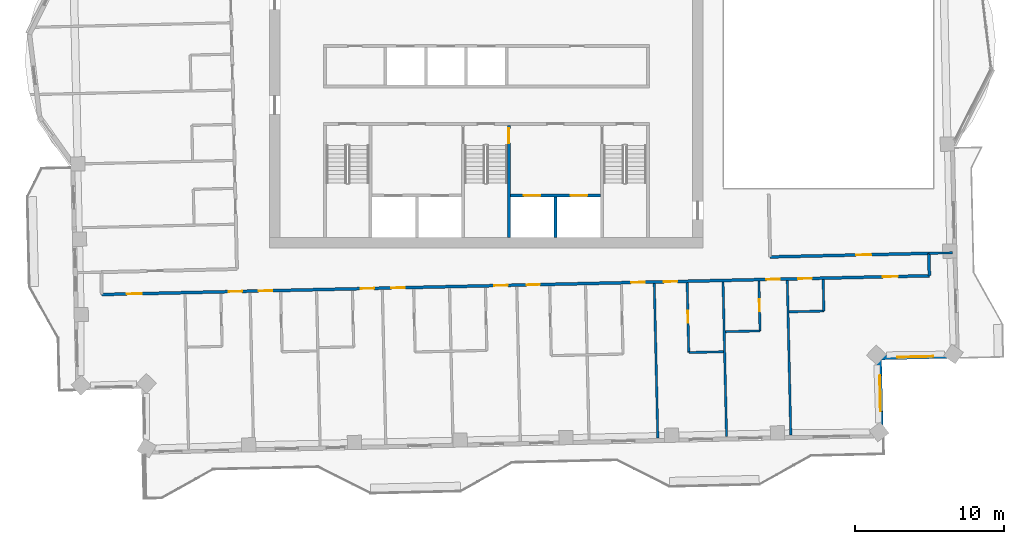
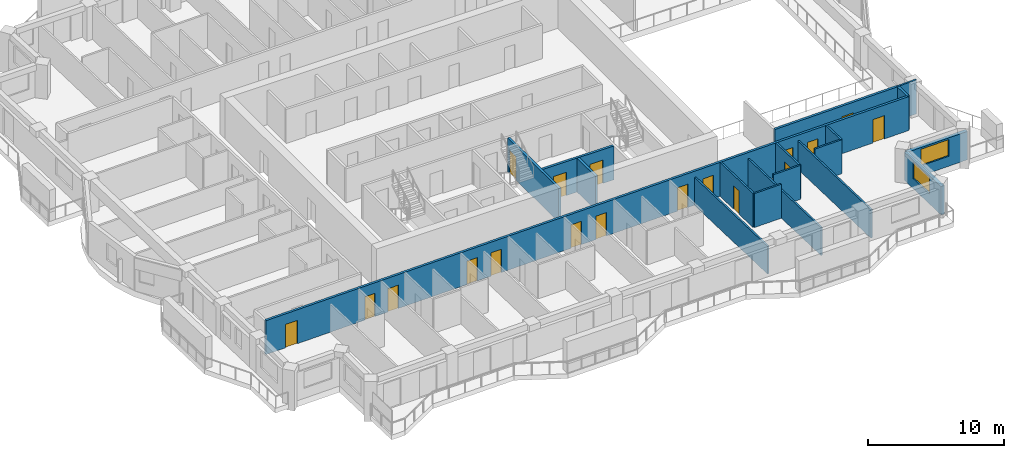
# One storey, part 11 of 20: 18 doors, 18 walls, 2 windows, 20 openings.
"""IFC4 building model written with IfcOpenShell, lengths in metres."""

from ifc_helpers import new_model, si_unit, direction, frame, frame_2d, origin, place, context, subcontext, project, spatial, rectangle, extrude, material, layer, layer_set, type_object, element, fill, save


model = new_model("IFC4")

# Units and contexts
model_context = context("Model", 3, precision=1e-05, world=origin(), true_north=direction((0.0, 1.0)))
body_context = subcontext(model_context, "Body", "Model", "MODEL_VIEW")
ifc_project = project(units=[si_unit("LENGTHUNIT", "METRE"), si_unit("AREAUNIT", "SQUARE_METRE"), si_unit("VOLUMEUNIT", "CUBIC_METRE"), si_unit("PLANEANGLEUNIT", "RADIAN"), si_unit("MASSUNIT", "GRAM", prefix="KILO")], contexts=[model_context])

# Site, building, storey
site_placement = place(None, origin())
site = spatial("IfcSite", under=ifc_project, at=site_placement, CompositionType="ELEMENT")
building_placement = place(site_placement, origin())
building = spatial("IfcBuilding", under=site, at=building_placement, Name="Mangrove Gate Tower", CompositionType="ELEMENT")
storey_placement = place(building_placement, frame((0.0, 0.0, 294.300048828125)))
storey = spatial("IfcBuildingStorey", under=building, at=storey_placement, Name="L75", CompositionType="ELEMENT", Elevation=294.300048828125)

# Wall, openings, doors
ifc_material_1 = material(Name="Concrete C50/60", Category="concrete")
ifc_layer_1 = layer(ifc_material_1, 0.199951171875)
ifc_layer_set_1 = layer_set([ifc_layer_1], Name="Core shaft wall 200 C50/60")
wall_type_1 = type_object("IfcWallType", Name="Core shaft wall 200 C50/60", PredefinedType="SHEAR", material=ifc_layer_set_1)
wall_1_placement = place(storey_placement, frame((1.60009765625, -8.0, 0.0), z_axis=(0.0, 0.0, 1.0), x_axis=(1.0, 0.0, 0.0)))
wall_1 = element("IfcWall", 1, at=wall_1_placement, inside=storey, type_object=wall_type_1, Name="WALL-L75-CORE-17", PredefinedType="SHEAR", context=body_context, shape_type="SweptSolid", body=[
    extrude(rectangle(XDim=6.0498046875, YDim=0.199951171875, at=frame_2d((3.02490234375, 0.0))), origin(), (0.0, 0.0, 1.0), 3.050048828125),
])
opening_1_placement = place(wall_1_placement, frame((0.91259765625, 0.0, 0.0)))
opening_1 = element("IfcOpeningElement", 2, at=opening_1_placement, cuts=wall_1, Name="Opening LD", PredefinedType="OPENING", context=body_context, shape_type="SweptSolid", body=[
    extrude(rectangle(XDim=1.10009765625, YDim=2.10009765625, at=frame_2d((0.550048828125, 1.050048828125))), frame((0.0, 0.10986328125, 0.0), z_axis=(0.0, -1.0, 0.0), x_axis=(1.0, 0.0, 0.0)), (0.0, 0.0, 1.0), 0.219970703125),
])
opening_2_placement = place(wall_1_placement, frame((4.03759765625, 0.0, 0.0)))
opening_2 = element("IfcOpeningElement", 3, at=opening_2_placement, cuts=wall_1, Name="Opening LD", PredefinedType="OPENING", context=body_context, shape_type="SweptSolid", body=[
    extrude(rectangle(XDim=1.10009765625, YDim=2.10009765625, at=frame_2d((0.550048828125, 1.050048828125))), frame((0.0, 0.10986328125, 0.0), z_axis=(0.0, -1.0, 0.0), x_axis=(1.0, 0.0, 0.0)), (0.0, 0.0, 1.0), 0.219970703125),
])
ifc_material_2 = material(Name="Stainless steel 316", Category="steel")
door_type_1 = type_object("IfcDoorType", Name="Lift landing door 1100x2100", OperationType="SLIDING_TO_LEFT", PredefinedType="DOOR", material=ifc_material_2)
door_1_placement = place(opening_1_placement, origin())
door_1 = element("IfcDoor", 4, at=door_1_placement, inside=storey, type_object=door_type_1, Name="Landing door LD FFL1", OperationType="SLIDING_TO_LEFT", OverallHeight=2.10009765625, OverallWidth=1.10009765625, PredefinedType="DOOR", context=body_context, shape_type="SweptSolid", body=[
    extrude(rectangle(XDim=1.10009765625, YDim=2.10009765625, at=frame_2d((0.550048828125, 1.050048828125))), frame((0.0, 0.02490234375, 0.0), z_axis=(0.0, -1.0, 0.0), x_axis=(1.0, 0.0, 0.0)), (0.0, 0.0, 1.0), 0.050048828125),
])
fill(opening_1, door_1)
door_2_placement = place(opening_2_placement, origin())
door_2 = element("IfcDoor", 5, at=door_2_placement, inside=storey, type_object=door_type_1, Name="Landing door LD FFL2", OperationType="SLIDING_TO_LEFT", OverallHeight=2.10009765625, OverallWidth=1.10009765625, PredefinedType="DOOR", context=body_context, shape_type="SweptSolid", body=[
    extrude(rectangle(XDim=1.10009765625, YDim=2.10009765625, at=frame_2d((0.550048828125, 1.050048828125))), frame((0.0, 0.02490234375, 0.0), z_axis=(0.0, -1.0, 0.0), x_axis=(1.0, 0.0, 0.0)), (0.0, 0.0, 1.0), 0.050048828125),
])
fill(opening_2, door_2)

# Wall
wall_2_placement = place(storey_placement, frame((4.625, -10.800048828125, 0.0), z_axis=(0.0, 0.0, 1.0), x_axis=(0.0, 1.0, 0.0)))
element("IfcWall", 6, at=wall_2_placement, inside=storey, type_object=wall_type_1, Name="WALL-L75-CORE-18", PredefinedType="SHEAR", context=body_context, shape_type="SweptSolid", body=[
    extrude(rectangle(XDim=2.699951171875, YDim=0.199951171875, at=frame_2d((1.35009765625, 0.0))), origin(), (0.0, 0.0, 1.0), 3.050048828125),
])

# Wall, opening, door
ifc_material_3 = material(Name="Concrete C50/60", Category="concrete")
ifc_layer_2 = layer(ifc_material_3, 0.199951171875)
ifc_layer_set_2 = layer_set([ifc_layer_2], Name="Core stair wall 200 C50/60")
wall_type_2 = type_object("IfcWallType", Name="Core stair wall 200 C50/60", PredefinedType="SHEAR", material=ifc_layer_set_2)
wall_3_placement = place(storey_placement, frame((1.5, -10.800048828125, 0.0), z_axis=(0.0, 0.0, 1.0), x_axis=(0.0, 1.0, 0.0)))
wall_3 = element("IfcWall", 7, at=wall_3_placement, inside=storey, type_object=wall_type_2, Name="WALL-L75-CORE-12", PredefinedType="SHEAR", context=body_context, shape_type="SweptSolid", body=[
    extrude(rectangle(XDim=7.5, YDim=0.199951171875, at=frame_2d((3.75, 0.0))), origin(), (0.0, 0.0, 1.0), 3.050048828125),
])
opening_3_placement = place(wall_3_placement, frame((6.300048828125, 0.0, 0.0)))
opening_3 = element("IfcOpeningElement", 8, at=opening_3_placement, cuts=wall_3, Name="Opening STD10", PredefinedType="OPENING", context=body_context, shape_type="SweptSolid", body=[
    extrude(rectangle(XDim=1.0, YDim=2.10009765625, at=frame_2d((0.5, 1.050048828125))), frame((0.0, 0.10986328125, 0.0), z_axis=(0.0, -1.0, 0.0), x_axis=(1.0, 0.0, 0.0)), (0.0, 0.0, 1.0), 0.219970703125),
])
ifc_material_4 = material(Name="Fire-rated steel door set", Category="steel")
door_type_2 = type_object("IfcDoorType", Name="Stair door FD60 1000x2100", OperationType="SINGLE_SWING_RIGHT", PredefinedType="DOOR", material=ifc_material_4)
door_3_placement = place(opening_3_placement, origin())
door_3 = element("IfcDoor", 9, at=door_3_placement, inside=storey, type_object=door_type_2, Name="Stair door Stair 2 from fire-fighting lobby", OperationType="SINGLE_SWING_RIGHT", OverallHeight=2.10009765625, OverallWidth=1.0, PredefinedType="DOOR", context=body_context, shape_type="SweptSolid", body=[
    extrude(rectangle(XDim=1.0, YDim=2.10009765625, at=frame_2d((0.5, 1.050048828125))), frame((0.0, 0.02490234375, 0.0), z_axis=(0.0, -1.0, 0.0), x_axis=(1.0, 0.0, 0.0)), (0.0, 0.0, 1.0), 0.050048828125),
])
fill(opening_3, door_3)

# Wall, openings, doors
ifc_material_5 = material(Name="Gypsum board on steel stud, EI 60", Category="steel")
ifc_layer_3 = layer(ifc_material_5, 0.199951171875)
ifc_layer_set_3 = layer_set([ifc_layer_3], Name="Corridor wall EI 60")
wall_type_3 = type_object("IfcWallType", Name="Corridor wall EI 60", PredefinedType="PARTITIONING", material=ifc_layer_set_3)
wall_4_placement = place(storey_placement, frame((-25.73095703125, -14.6240234375, 0.0), z_axis=(0.0, 0.0, 1.0), x_axis=(0.999742799525, 0.022678950563, 0.0)))
wall_4 = element("IfcWall", 10, at=wall_4_placement, inside=storey, type_object=wall_type_3, Name="WALL-L75-029", PredefinedType="PARTITIONING", context=body_context, shape_type="SweptSolid", body=[
    extrude(rectangle(XDim=55.38623046875, YDim=0.199951171875, at=frame_2d((27.693115234375, 0.0))), origin(), (0.0, 0.0, 1.0), 3.050048828125),
])
opening_4_placement = place(wall_4_placement, frame((1.69091796875, 0.0, 0.0)))
opening_4 = element("IfcOpeningElement", 11, at=opening_4_placement, cuts=wall_4, Name="Opening AD", PredefinedType="OPENING", context=body_context, shape_type="SweptSolid", body=[
    extrude(rectangle(XDim=1.0, YDim=2.10009765625, at=frame_2d((0.5, 1.050048828125))), frame((0.0, 0.10986328125, 0.0), z_axis=(0.0, -1.0, 0.0), x_axis=(1.0, 0.0, 0.0)), (0.0, 0.0, 1.0), 0.219970703125),
])
opening_5_placement = place(wall_4_placement, frame((8.5, 0.0, 0.0)))
opening_5 = element("IfcOpeningElement", 12, at=opening_5_placement, cuts=wall_4, Name="Opening BD", PredefinedType="OPENING", context=body_context, shape_type="SweptSolid", body=[
    extrude(rectangle(XDim=0.89990234375, YDim=2.10009765625, at=frame_2d((0.449951171875, 1.050048828125))), frame((0.0, 0.10986328125, 0.0), z_axis=(0.0, -1.0, 0.0), x_axis=(1.0, 0.0, 0.0)), (0.0, 0.0, 1.0), 0.219970703125),
])
opening_6_placement = place(wall_4_placement, frame((10.5, 0.0, 0.0)))
opening_6 = element("IfcOpeningElement", 13, at=opening_6_placement, cuts=wall_4, Name="Opening BD", PredefinedType="OPENING", context=body_context, shape_type="SweptSolid", body=[
    extrude(rectangle(XDim=0.89990234375, YDim=2.10009765625, at=frame_2d((0.449951171875, 1.050048828125))), frame((0.0, 0.10986328125, 0.0), z_axis=(0.0, -1.0, 0.0), x_axis=(1.0, 0.0, 0.0)), (0.0, 0.0, 1.0), 0.219970703125),
])
opening_7_placement = place(wall_4_placement, frame((17.324951171875, 0.0, 0.0)))
opening_7 = element("IfcOpeningElement", 14, at=opening_7_placement, cuts=wall_4, Name="Opening BD", PredefinedType="OPENING", context=body_context, shape_type="SweptSolid", body=[
    extrude(rectangle(XDim=0.89990234375, YDim=2.10009765625, at=frame_2d((0.449951171875, 1.050048828125))), frame((0.0, 0.10986328125, 0.0), z_axis=(0.0, -1.0, 0.0), x_axis=(1.0, 0.0, 0.0)), (0.0, 0.0, 1.0), 0.219970703125),
])
opening_8_placement = place(wall_4_placement, frame((19.375, 0.0, 0.0)))
opening_8 = element("IfcOpeningElement", 15, at=opening_8_placement, cuts=wall_4, Name="Opening BD", PredefinedType="OPENING", context=body_context, shape_type="SweptSolid", body=[
    extrude(rectangle(XDim=0.89990234375, YDim=2.10009765625, at=frame_2d((0.449951171875, 1.050048828125))), frame((0.0, 0.10986328125, 0.0), z_axis=(0.0, -1.0, 0.0), x_axis=(1.0, 0.0, 0.0)), (0.0, 0.0, 1.0), 0.219970703125),
])
opening_9_placement = place(wall_4_placement, frame((26.27490234375, 0.0, 0.0)))
opening_9 = element("IfcOpeningElement", 16, at=opening_9_placement, cuts=wall_4, Name="Opening BD", PredefinedType="OPENING", context=body_context, shape_type="SweptSolid", body=[
    extrude(rectangle(XDim=0.89990234375, YDim=2.10009765625, at=frame_2d((0.449951171875, 1.050048828125))), frame((0.0, 0.10986328125, 0.0), z_axis=(0.0, -1.0, 0.0), x_axis=(1.0, 0.0, 0.0)), (0.0, 0.0, 1.0), 0.219970703125),
])
opening_10_placement = place(wall_4_placement, frame((28.425048828125, 0.0, 0.0)))
opening_10 = element("IfcOpeningElement", 17, at=opening_10_placement, cuts=wall_4, Name="Opening BD", PredefinedType="OPENING", context=body_context, shape_type="SweptSolid", body=[
    extrude(rectangle(XDim=0.89990234375, YDim=2.10009765625, at=frame_2d((0.449951171875, 1.050048828125))), frame((0.0, 0.10986328125, 0.0), z_axis=(0.0, -1.0, 0.0), x_axis=(1.0, 0.0, 0.0)), (0.0, 0.0, 1.0), 0.219970703125),
])
opening_11_placement = place(wall_4_placement, frame((35.425048828125, 0.0, 0.0)))
opening_11 = element("IfcOpeningElement", 18, at=opening_11_placement, cuts=wall_4, Name="Opening BD", PredefinedType="OPENING", context=body_context, shape_type="SweptSolid", body=[
    extrude(rectangle(XDim=0.89990234375, YDim=2.10009765625, at=frame_2d((0.449951171875, 1.050048828125))), frame((0.0, 0.10986328125, 0.0), z_axis=(0.0, -1.0, 0.0), x_axis=(1.0, 0.0, 0.0)), (0.0, 0.0, 1.0), 0.219970703125),
])
opening_12_placement = place(wall_4_placement, frame((37.625, 0.0, 0.0)))
opening_12 = element("IfcOpeningElement", 19, at=opening_12_placement, cuts=wall_4, Name="Opening BD", PredefinedType="OPENING", context=body_context, shape_type="SweptSolid", body=[
    extrude(rectangle(XDim=0.89990234375, YDim=2.10009765625, at=frame_2d((0.449951171875, 1.050048828125))), frame((0.0, 0.10986328125, 0.0), z_axis=(0.0, -1.0, 0.0), x_axis=(1.0, 0.0, 0.0)), (0.0, 0.0, 1.0), 0.219970703125),
])
opening_13_placement = place(wall_4_placement, frame((44.47509765625, 0.0, 0.0)))
opening_13 = element("IfcOpeningElement", 20, at=opening_13_placement, cuts=wall_4, Name="Opening BD", PredefinedType="OPENING", context=body_context, shape_type="SweptSolid", body=[
    extrude(rectangle(XDim=0.89990234375, YDim=2.10009765625, at=frame_2d((0.449951171875, 1.050048828125))), frame((0.0, 0.10986328125, 0.0), z_axis=(0.0, -1.0, 0.0), x_axis=(1.0, 0.0, 0.0)), (0.0, 0.0, 1.0), 0.219970703125),
])
opening_14_placement = place(wall_4_placement, frame((52.26806640625, 0.0, 0.0)))
opening_14 = element("IfcOpeningElement", 21, at=opening_14_placement, cuts=wall_4, Name="Opening AD", PredefinedType="OPENING", context=body_context, shape_type="SweptSolid", body=[
    extrude(rectangle(XDim=1.0, YDim=2.10009765625, at=frame_2d((0.5, 1.050048828125))), frame((0.0, 0.10986328125, 0.0), z_axis=(0.0, -1.0, 0.0), x_axis=(1.0, 0.0, 0.0)), (0.0, 0.0, 1.0), 0.219970703125),
])
opening_15_placement = place(wall_4_placement, frame((46.625, 0.0, 0.0)))
opening_15 = element("IfcOpeningElement", 22, at=opening_15_placement, cuts=wall_4, Name="Opening SD", PredefinedType="OPENING", context=body_context, shape_type="SweptSolid", body=[
    extrude(rectangle(XDim=0.89990234375, YDim=2.10009765625, at=frame_2d((0.449951171875, 1.050048828125))), frame((0.0, 0.10986328125, 0.0), z_axis=(0.0, -1.0, 0.0), x_axis=(1.0, 0.0, 0.0)), (0.0, 0.0, 1.0), 0.219970703125),
])
ifc_material_6 = material(Name="Timber door leaf", Category="wood")
door_type_3 = type_object("IfcDoorType", Name="Amenity door 1000", OperationType="SINGLE_SWING_LEFT", PredefinedType="DOOR", material=ifc_material_6)
door_4_placement = place(opening_4_placement, origin())
door_4 = element("IfcDoor", 23, at=door_4_placement, inside=storey, type_object=door_type_3, Name="DOOR-L75-STU-c1a", OperationType="SINGLE_SWING_LEFT", OverallHeight=2.10009765625, OverallWidth=1.0, PredefinedType="DOOR", context=body_context, shape_type="SweptSolid", body=[
    extrude(rectangle(XDim=1.0, YDim=2.10009765625, at=frame_2d((0.5, 1.050048828125))), frame((0.0, 0.02490234375, 0.0), z_axis=(0.0, -1.0, 0.0), x_axis=(1.0, 0.0, 0.0)), (0.0, 0.0, 1.0), 0.050048828125),
])
fill(opening_4, door_4)
door_5_placement = place(opening_14_placement, origin())
door_5 = element("IfcDoor", 24, at=door_5_placement, inside=storey, type_object=door_type_3, Name="DOOR-L75-LNG-c3a", OperationType="SINGLE_SWING_RIGHT", OverallHeight=2.10009765625, OverallWidth=1.0, PredefinedType="DOOR", context=body_context, shape_type="SweptSolid", body=[
    extrude(rectangle(XDim=1.0, YDim=2.10009765625, at=frame_2d((0.5, 1.050048828125))), frame((0.0, 0.02490234375, 0.0), z_axis=(0.0, -1.0, 0.0), x_axis=(1.0, 0.0, 0.0)), (0.0, 0.0, 1.0), 0.050048828125),
])
fill(opening_14, door_5)
ifc_material_7 = material(Name="Timber door leaf", Category="wood")
door_type_4 = type_object("IfcDoorType", Name="Bedroom door 900", OperationType="SINGLE_SWING_LEFT", PredefinedType="DOOR", material=ifc_material_7)
door_6_placement = place(opening_5_placement, origin())
door_6 = element("IfcDoor", 25, at=door_6_placement, inside=storey, type_object=door_type_4, Name="DOOR-L75-BED-c101", OperationType="SINGLE_SWING_LEFT", OverallHeight=2.10009765625, OverallWidth=0.89990234375, PredefinedType="DOOR", context=body_context, shape_type="SweptSolid", body=[
    extrude(rectangle(XDim=0.89990234375, YDim=2.10009765625, at=frame_2d((0.449951171875, 1.050048828125))), frame((0.0, 0.02490234375, 0.0), z_axis=(0.0, -1.0, 0.0), x_axis=(1.0, 0.0, 0.0)), (0.0, 0.0, 1.0), 0.050048828125),
])
fill(opening_5, door_6)
door_7_placement = place(opening_6_placement, origin())
door_7 = element("IfcDoor", 26, at=door_7_placement, inside=storey, type_object=door_type_4, Name="DOOR-L75-BED-c102", OperationType="SINGLE_SWING_RIGHT", OverallHeight=2.10009765625, OverallWidth=0.89990234375, PredefinedType="DOOR", context=body_context, shape_type="SweptSolid", body=[
    extrude(rectangle(XDim=0.89990234375, YDim=2.10009765625, at=frame_2d((0.449951171875, 1.050048828125))), frame((0.0, 0.02490234375, 0.0), z_axis=(0.0, -1.0, 0.0), x_axis=(1.0, 0.0, 0.0)), (0.0, 0.0, 1.0), 0.050048828125),
])
fill(opening_6, door_7)
door_8_placement = place(opening_7_placement, origin())
door_8 = element("IfcDoor", 27, at=door_8_placement, inside=storey, type_object=door_type_4, Name="DOOR-L75-BED-c103", OperationType="SINGLE_SWING_LEFT", OverallHeight=2.10009765625, OverallWidth=0.89990234375, PredefinedType="DOOR", context=body_context, shape_type="SweptSolid", body=[
    extrude(rectangle(XDim=0.89990234375, YDim=2.10009765625, at=frame_2d((0.449951171875, 1.050048828125))), frame((0.0, 0.02490234375, 0.0), z_axis=(0.0, -1.0, 0.0), x_axis=(1.0, 0.0, 0.0)), (0.0, 0.0, 1.0), 0.050048828125),
])
fill(opening_7, door_8)
door_9_placement = place(opening_8_placement, origin())
door_9 = element("IfcDoor", 28, at=door_9_placement, inside=storey, type_object=door_type_4, Name="DOOR-L75-BED-c104", OperationType="SINGLE_SWING_RIGHT", OverallHeight=2.10009765625, OverallWidth=0.89990234375, PredefinedType="DOOR", context=body_context, shape_type="SweptSolid", body=[
    extrude(rectangle(XDim=0.89990234375, YDim=2.10009765625, at=frame_2d((0.449951171875, 1.050048828125))), frame((0.0, 0.02490234375, 0.0), z_axis=(0.0, -1.0, 0.0), x_axis=(1.0, 0.0, 0.0)), (0.0, 0.0, 1.0), 0.050048828125),
])
fill(opening_8, door_9)
door_10_placement = place(opening_9_placement, origin())
door_10 = element("IfcDoor", 29, at=door_10_placement, inside=storey, type_object=door_type_4, Name="DOOR-L75-BED-c205", OperationType="SINGLE_SWING_LEFT", OverallHeight=2.10009765625, OverallWidth=0.89990234375, PredefinedType="DOOR", context=body_context, shape_type="SweptSolid", body=[
    extrude(rectangle(XDim=0.89990234375, YDim=2.10009765625, at=frame_2d((0.449951171875, 1.050048828125))), frame((0.0, 0.02490234375, 0.0), z_axis=(0.0, -1.0, 0.0), x_axis=(1.0, 0.0, 0.0)), (0.0, 0.0, 1.0), 0.050048828125),
])
fill(opening_9, door_10)
door_11_placement = place(opening_10_placement, origin())
door_11 = element("IfcDoor", 30, at=door_11_placement, inside=storey, type_object=door_type_4, Name="DOOR-L75-BED-c206", OperationType="SINGLE_SWING_RIGHT", OverallHeight=2.10009765625, OverallWidth=0.89990234375, PredefinedType="DOOR", context=body_context, shape_type="SweptSolid", body=[
    extrude(rectangle(XDim=0.89990234375, YDim=2.10009765625, at=frame_2d((0.449951171875, 1.050048828125))), frame((0.0, 0.02490234375, 0.0), z_axis=(0.0, -1.0, 0.0), x_axis=(1.0, 0.0, 0.0)), (0.0, 0.0, 1.0), 0.050048828125),
])
fill(opening_10, door_11)
door_12_placement = place(opening_11_placement, origin())
door_12 = element("IfcDoor", 31, at=door_12_placement, inside=storey, type_object=door_type_4, Name="DOOR-L75-BED-c207", OperationType="SINGLE_SWING_LEFT", OverallHeight=2.10009765625, OverallWidth=0.89990234375, PredefinedType="DOOR", context=body_context, shape_type="SweptSolid", body=[
    extrude(rectangle(XDim=0.89990234375, YDim=2.10009765625, at=frame_2d((0.449951171875, 1.050048828125))), frame((0.0, 0.02490234375, 0.0), z_axis=(0.0, -1.0, 0.0), x_axis=(1.0, 0.0, 0.0)), (0.0, 0.0, 1.0), 0.050048828125),
])
fill(opening_11, door_12)
door_13_placement = place(opening_12_placement, origin())
door_13 = element("IfcDoor", 32, at=door_13_placement, inside=storey, type_object=door_type_4, Name="DOOR-L75-BED-c208", OperationType="SINGLE_SWING_RIGHT", OverallHeight=2.10009765625, OverallWidth=0.89990234375, PredefinedType="DOOR", context=body_context, shape_type="SweptSolid", body=[
    extrude(rectangle(XDim=0.89990234375, YDim=2.10009765625, at=frame_2d((0.449951171875, 1.050048828125))), frame((0.0, 0.02490234375, 0.0), z_axis=(0.0, -1.0, 0.0), x_axis=(1.0, 0.0, 0.0)), (0.0, 0.0, 1.0), 0.050048828125),
])
fill(opening_12, door_13)
door_14_placement = place(opening_13_placement, origin())
door_14 = element("IfcDoor", 33, at=door_14_placement, inside=storey, type_object=door_type_4, Name="DOOR-L75-BED-c309", OperationType="SINGLE_SWING_LEFT", OverallHeight=2.10009765625, OverallWidth=0.89990234375, PredefinedType="DOOR", context=body_context, shape_type="SweptSolid", body=[
    extrude(rectangle(XDim=0.89990234375, YDim=2.10009765625, at=frame_2d((0.449951171875, 1.050048828125))), frame((0.0, 0.02490234375, 0.0), z_axis=(0.0, -1.0, 0.0), x_axis=(1.0, 0.0, 0.0)), (0.0, 0.0, 1.0), 0.050048828125),
])
fill(opening_13, door_14)
ifc_material_8 = material(Name="Timber door leaf", Category="wood")
door_type_5 = type_object("IfcDoorType", Name="Service room door 900", OperationType="SINGLE_SWING_LEFT", PredefinedType="DOOR", material=ifc_material_8)
door_15_placement = place(opening_15_placement, origin())
door_15 = element("IfcDoor", 34, at=door_15_placement, inside=storey, type_object=door_type_5, Name="DOOR-L75-LIN-c3a", OperationType="SINGLE_SWING_LEFT", OverallHeight=2.10009765625, OverallWidth=0.89990234375, PredefinedType="DOOR", context=body_context, shape_type="SweptSolid", body=[
    extrude(rectangle(XDim=0.89990234375, YDim=2.10009765625, at=frame_2d((0.449951171875, 1.050048828125))), frame((0.0, 0.02490234375, 0.0), z_axis=(0.0, -1.0, 0.0), x_axis=(1.0, 0.0, 0.0)), (0.0, 0.0, 1.0), 0.050048828125),
])
fill(opening_15, door_15)

# Wall
wall_5_placement = place(storey_placement, frame((29.637939453125, -13.367919921875, 0.0), z_axis=(0.0, 0.0, 1.0), x_axis=(-0.022617910375, 0.999744182344, 0.0)))
element("IfcWall", 35, at=wall_5_placement, inside=storey, type_object=wall_type_3, Name="WALL-L75-031", PredefinedType="PARTITIONING", context=body_context, shape_type="SweptSolid", body=[
    extrude(rectangle(XDim=1.50048828125, YDim=0.199951171875, at=frame_2d((0.750244140625, 0.0))), origin(), (0.0, 0.0, 1.0), 3.050048828125),
])

# Wall, opening, door
wall_6_placement = place(storey_placement, frame((18.985107421875, -12.10888671875, 0.0), z_axis=(0.0, 0.0, 1.0), x_axis=(0.999742771882, 0.022680169073, 0.0)))
wall_6 = element("IfcWall", 36, at=wall_6_placement, inside=storey, type_object=wall_type_3, Name="WALL-L75-035", PredefinedType="PARTITIONING", context=body_context, shape_type="SweptSolid", body=[
    extrude(rectangle(XDim=10.62451171875, YDim=0.199951171875, at=frame_2d((5.312255859375, 0.0))), origin(), (0.0, 0.0, 1.0), 3.050048828125),
])
opening_16_placement = place(wall_6_placement, frame((5.75, 0.0, 0.0)))
opening_16 = element("IfcOpeningElement", 37, at=opening_16_placement, cuts=wall_6, Name="Opening AD", PredefinedType="OPENING", context=body_context, shape_type="SweptSolid", body=[
    extrude(rectangle(XDim=1.0, YDim=2.10009765625, at=frame_2d((0.5, 1.050048828125))), frame((0.0, 0.10986328125, 0.0), z_axis=(0.0, -1.0, 0.0), x_axis=(1.0, 0.0, 0.0)), (0.0, 0.0, 1.0), 0.219970703125),
])
door_16_placement = place(opening_16_placement, origin())
door_16 = element("IfcDoor", 38, at=door_16_placement, inside=storey, type_object=door_type_3, Name="DOOR-L75-GAM-c3a", OperationType="SINGLE_SWING_LEFT", OverallHeight=2.10009765625, OverallWidth=1.0, PredefinedType="DOOR", context=body_context, shape_type="SweptSolid", body=[
    extrude(rectangle(XDim=1.0, YDim=2.10009765625, at=frame_2d((0.5, 1.050048828125))), frame((0.0, 0.02490234375, 0.0), z_axis=(0.0, -1.0, 0.0), x_axis=(1.0, 0.0, 0.0)), (0.0, 0.0, 1.0), 0.050048828125),
])
fill(opening_16, door_16)

# Wall, opening, window
ifc_material_9 = material(Name="Limestone", Category="masonry")
ifc_layer_4 = layer(ifc_material_9, 0.0400390625, Name="Limestone cladding")
ifc_material_10 = material(Name="Ventilated air gap")
ifc_layer_5 = layer(ifc_material_10, 0.0400390625, Name="Ventilated cavity")
ifc_material_11 = material(Name="Mineral wool insulation")
ifc_layer_6 = layer(ifc_material_11, 0.06005859375, Name="Insulation")
ifc_material_12 = material(Name="Breather membrane")
ifc_layer_7 = layer(ifc_material_12, 0.001953125, Name="Breather membrane")
ifc_material_13 = material(Name="Concrete C20/25 blockwork", Category="masonry")
ifc_layer_8 = layer(ifc_material_13, 0.14990234375, Name="Blockwork backing wall")
ifc_material_14 = material(Name="Gypsum plaster")
ifc_layer_9 = layer(ifc_material_14, 0.008056640625, Name="Internal plaster")
ifc_layer_set_4 = layer_set([ifc_layer_4, ifc_layer_5, ifc_layer_6, ifc_layer_7, ifc_layer_8, ifc_layer_9], Name="External wall 300 limestone cladding")
wall_type_4 = type_object("IfcWallType", Name="External wall 300 limestone cladding", PredefinedType="SOLIDWALL", material=ifc_layer_set_4)
wall_7_placement = place(storey_placement, frame((26.406982421875, -24.0439453125, 0.0), z_axis=(0.0, 0.0, 1.0), x_axis=(-0.022675548694, 0.99974287669, 0.0)))
wall_7 = element("IfcWall", 39, at=wall_7_placement, inside=storey, type_object=wall_type_4, Name="WALL-L75-E14", PredefinedType="SOLIDWALL", context=body_context, shape_type="SweptSolid", body=[
    extrude(rectangle(XDim=5.2001953125, YDim=0.300048828125, at=frame_2d((2.60009765625, 0.0))), origin(), (0.0, 0.0, 1.0), 2.550048828125),
])
opening_17_placement = place(wall_7_placement, frame((1.60498046875, 0.0, 0.89990234375)))
opening_17 = element("IfcOpeningElement", 40, at=opening_17_placement, cuts=wall_7, Name="Opening W2", PredefinedType="OPENING", context=body_context, shape_type="SweptSolid", body=[
    extrude(rectangle(XDim=2.39990234375, YDim=1.5, at=frame_2d((1.199951171875, 0.75))), frame((0.0, 0.159912109375, 0.0), z_axis=(0.0, -1.0, 0.0), x_axis=(1.0, 0.0, 0.0)), (0.0, 0.0, 1.0), 0.320068359375),
])
ifc_material_15 = material(Name="Aluminium frame with double-glazed low-e glass", Category="aluminium")
window_type = type_object("IfcWindowType", Name="Corner room window 2400x1500", PartitioningType="DOUBLE_PANEL_VERTICAL", PredefinedType="WINDOW", material=ifc_material_15)
window_1_placement = place(opening_17_placement, origin())
window_1 = element("IfcWindow", 41, at=window_1_placement, inside=storey, type_object=window_type, Name="WIN-L75-E14-1", OverallHeight=1.5, OverallWidth=2.39990234375, PartitioningType="DOUBLE_PANEL_VERTICAL", PredefinedType="WINDOW", context=body_context, shape_type="SweptSolid", body=[
    extrude(rectangle(XDim=2.39990234375, YDim=1.5, at=frame_2d((1.199951171875, 0.75))), frame((0.0, 0.030029296875, 0.0), z_axis=(0.0, -1.0, 0.0), x_axis=(1.0, 0.0, 0.0)), (0.0, 0.0, 1.0), 0.06005859375),
])
fill(opening_17, window_1)

wall_8_placement = place(storey_placement, frame((26.2890625, -18.844970703125, 0.0), z_axis=(0.0, 0.0, 1.0), x_axis=(0.99974287669, 0.022675548694, 0.0)))
wall_8 = element("IfcWall", 42, at=wall_8_placement, inside=storey, type_object=wall_type_4, Name="WALL-L75-S15", PredefinedType="SOLIDWALL", context=body_context, shape_type="SweptSolid", body=[
    extrude(rectangle(XDim=5.2001953125, YDim=0.300048828125, at=frame_2d((2.60009765625, 0.0))), origin(), (0.0, 0.0, 1.0), 2.550048828125),
])
opening_18_placement = place(wall_8_placement, frame((1.194091796875, 0.0, 0.89990234375)))
opening_18 = element("IfcOpeningElement", 43, at=opening_18_placement, cuts=wall_8, Name="Opening W2", PredefinedType="OPENING", context=body_context, shape_type="SweptSolid", body=[
    extrude(rectangle(XDim=2.39990234375, YDim=1.5, at=frame_2d((1.199951171875, 0.75))), frame((0.0, 0.159912109375, 0.0), z_axis=(0.0, -1.0, 0.0), x_axis=(1.0, 0.0, 0.0)), (0.0, 0.0, 1.0), 0.320068359375),
])
window_2_placement = place(opening_18_placement, origin())
window_2 = element("IfcWindow", 44, at=window_2_placement, inside=storey, type_object=window_type, Name="WIN-L75-S15-1", OverallHeight=1.5, OverallWidth=2.39990234375, PartitioningType="DOUBLE_PANEL_VERTICAL", PredefinedType="WINDOW", context=body_context, shape_type="SweptSolid", body=[
    extrude(rectangle(XDim=2.39990234375, YDim=1.5, at=frame_2d((1.199951171875, 0.75))), frame((0.0, 0.030029296875, 0.0), z_axis=(0.0, -1.0, 0.0), x_axis=(1.0, 0.0, 0.0)), (0.0, 0.0, 1.0), 0.06005859375),
])
fill(opening_18, window_2)

# Walls
ifc_material_16 = material(Name="Gypsum board on steel stud, EI 60", Category="steel")
ifc_layer_10 = layer(ifc_material_16, 0.14990234375)
ifc_layer_set_5 = layer_set([ifc_layer_10], Name="Party wall 150 EI 60")
wall_type_5 = type_object("IfcWallType", Name="Party wall 150 EI 60", PredefinedType="PARTITIONING", material=ifc_layer_set_5)
for number, where, z_axis, x_axis, name in (
    (45, (11.469970703125, -24.23291015625, 0.0), (0.0, 0.0, 1.0), (-0.022690865001, 0.999742529177, 0.0), "WALL-L75-008"),
    (46, (16.069091796875, -24.12890625, 0.0), (0.0, 0.0, 1.0), (-0.022714440015, 0.999741993824, 0.0), "WALL-L75-009"),
):
    element("IfcWall", number, at=place(storey_placement, frame(where, z_axis=z_axis, x_axis=x_axis)), inside=storey, type_object=wall_type_5, Name=name, PredefinedType="PARTITIONING", context=body_context, shape_type="SweptSolid", body=[
        extrude(rectangle(XDim=10.3505859375, YDim=0.14990234375, at=frame_2d((5.17529296875, 0.0))), origin(), (0.0, 0.0, 1.0), 2.5),
    ])
wall_9_placement = place(storey_placement, frame((20.366943359375, -24.031005859375, 0.0), z_axis=(0.0, 0.0, 1.0), x_axis=(-0.022596564565, 0.999744665037, 0.0)))
element("IfcWall", 47, at=wall_9_placement, inside=storey, type_object=wall_type_5, Name="WALL-L75-010", PredefinedType="PARTITIONING", context=body_context, shape_type="SweptSolid", body=[
    extrude(rectangle(XDim=10.3505859375, YDim=0.14990234375, at=frame_2d((5.17529296875, 0.0))), origin(), (0.0, 0.0, 1.0), 2.550048828125),
])

# Wall, opening, door
wall_10_placement = place(storey_placement, frame((13.5400390625, -18.50390625, 0.0), z_axis=(0.0, 0.0, 1.0), x_axis=(-0.022688155425, 0.999742590672, 0.0)))
wall_10 = element("IfcWall", 48, at=wall_10_placement, inside=storey, type_object=wall_type_5, Name="WALL-L75-014", PredefinedType="PARTITIONING", context=body_context, shape_type="SweptSolid", body=[
    extrude(rectangle(XDim=4.670166015625, YDim=0.14990234375, at=frame_2d((2.3349609375, 0.0))), origin(), (0.0, 0.0, 1.0), 3.050048828125),
])
opening_19_placement = place(wall_10_placement, frame((1.985107421875, 0.0, 0.0)))
opening_19 = element("IfcOpeningElement", 49, at=opening_19_placement, cuts=wall_10, Name="Opening ED", PredefinedType="OPENING", context=body_context, shape_type="SweptSolid", body=[
    extrude(rectangle(XDim=0.800048828125, YDim=2.10009765625, at=frame_2d((0.39990234375, 1.050048828125))), frame((0.0, 0.0849609375, 0.0), z_axis=(0.0, -1.0, 0.0), x_axis=(1.0, 0.0, 0.0)), (0.0, 0.0, 1.0), 0.169921875),
])
ifc_material_17 = material(Name="Timber door leaf", Category="wood")
door_type_6 = type_object("IfcDoorType", Name="En-suite door 800", OperationType="SINGLE_SWING_LEFT", PredefinedType="DOOR", material=ifc_material_17)
door_17_placement = place(opening_19_placement, origin())
door_17 = element("IfcDoor", 50, at=door_17_placement, inside=storey, type_object=door_type_6, Name="DOOR-L75-ENS-c208", OperationType="SINGLE_SWING_RIGHT", OverallHeight=2.10009765625, OverallWidth=0.800048828125, PredefinedType="DOOR", context=body_context, shape_type="SweptSolid", body=[
    extrude(rectangle(XDim=0.800048828125, YDim=2.10009765625, at=frame_2d((0.39990234375, 1.050048828125))), frame((0.0, 0.02490234375, 0.0), z_axis=(0.0, -1.0, 0.0), x_axis=(1.0, 0.0, 0.0)), (0.0, 0.0, 1.0), 0.050048828125),
])
fill(opening_19, door_17)

# Walls
for number, where, z_axis, x_axis, name in (
    (51, (13.5419921875, -18.50390625, 0.0), (0.0, 0.0, 1.0), (0.999749954681, 0.022361308448, 0.0), "WALL-L75-015"),
    (52, (15.986083984375, -17.10791015625, 0.0), (0.0, 0.0, 1.0), (0.999749954681, 0.022361308448, 0.0), "WALL-L75-025"),
):
    element("IfcWall", number, at=place(storey_placement, frame(where, z_axis=z_axis, x_axis=x_axis)), inside=storey, type_object=wall_type_5, Name=name, PredefinedType="PARTITIONING", context=body_context, shape_type="SweptSolid", body=[
        extrude(rectangle(XDim=2.325439453125, YDim=0.14990234375, at=frame_2d((1.16259765625, 0.0))), origin(), (0.0, 0.0, 1.0), 3.050048828125),
    ])

# Wall, opening, door
wall_11_placement = place(storey_placement, frame((18.30908203125, -17.055908203125, 0.0), z_axis=(0.0, 0.0, 1.0), x_axis=(-0.022876300007, 0.999738303206, 0.0)))
wall_11 = element("IfcWall", 53, at=wall_11_placement, inside=storey, type_object=wall_type_5, Name="WALL-L75-026", PredefinedType="PARTITIONING", context=body_context, shape_type="SweptSolid", body=[
    extrude(rectangle(XDim=3.329833984375, YDim=0.14990234375, at=frame_2d((1.6650390625, 0.0))), origin(), (0.0, 0.0, 1.0), 3.050048828125),
])
opening_20_placement = place(wall_11_placement, frame((1.31494140625, 0.0, 0.0)))
opening_20 = element("IfcOpeningElement", 54, at=opening_20_placement, cuts=wall_11, Name="Opening ED", PredefinedType="OPENING", context=body_context, shape_type="SweptSolid", body=[
    extrude(rectangle(XDim=0.800048828125, YDim=2.10009765625, at=frame_2d((0.39990234375, 1.050048828125))), frame((0.0, 0.0849609375, 0.0), z_axis=(0.0, -1.0, 0.0), x_axis=(1.0, 0.0, 0.0)), (0.0, 0.0, 1.0), 0.169921875),
])
door_18_placement = place(opening_20_placement, origin())
door_18 = element("IfcDoor", 55, at=door_18_placement, inside=storey, type_object=door_type_6, Name="DOOR-L75-ENS-c309", OperationType="SINGLE_SWING_LEFT", OverallHeight=2.10009765625, OverallWidth=0.800048828125, PredefinedType="DOOR", context=body_context, shape_type="SweptSolid", body=[
    extrude(rectangle(XDim=0.800048828125, YDim=2.10009765625, at=frame_2d((0.39990234375, 1.050048828125))), frame((0.0, 0.02490234375, 0.0), z_axis=(0.0, -1.0, 0.0), x_axis=(1.0, 0.0, 0.0)), (0.0, 0.0, 1.0), 0.050048828125),
])
fill(opening_20, door_18)

# Walls
wall_12_placement = place(storey_placement, frame((20.257080078125, -15.781005859375, 0.0), z_axis=(0.0, 0.0, 1.0), x_axis=(0.999740478815, 0.022781023197, 0.0)))
element("IfcWall", 56, at=wall_12_placement, inside=storey, type_object=wall_type_5, Name="WALL-L75-027", PredefinedType="PARTITIONING", context=body_context, shape_type="SweptSolid", body=[
    extrude(rectangle(XDim=2.325439453125, YDim=0.14990234375, at=frame_2d((1.16259765625, 0.0))), origin(), (0.0, 0.0, 1.0), 3.050048828125),
])
wall_13_placement = place(storey_placement, frame((22.580078125, -15.72900390625, 0.0), z_axis=(0.0, 0.0, 1.0), x_axis=(-0.022895647347, 0.999737860308, 0.0)))
element("IfcWall", 57, at=wall_13_placement, inside=storey, type_object=wall_type_5, Name="WALL-L75-028", PredefinedType="PARTITIONING", context=body_context, shape_type="SweptSolid", body=[
    extrude(rectangle(XDim=2.1005859375, YDim=0.14990234375, at=frame_2d((1.05029296875, 0.0))), origin(), (0.0, 0.0, 1.0), 3.050048828125),
])
wall_14_placement = place(storey_placement, frame((29.60302734375, -11.867919921875, 0.0), z_axis=(0.0, 0.0, 1.0), x_axis=(0.999741755729, 0.022724916977, 0.0)))
element("IfcWall", 58, at=wall_14_placement, inside=storey, type_object=wall_type_5, Name="WALL-L75-037", PredefinedType="PARTITIONING", context=body_context, shape_type="SweptSolid", body=[
    extrude(rectangle(XDim=1.579345703125, YDim=0.14990234375, at=frame_2d((0.78955078125, 0.0))), origin(), (0.0, 0.0, 1.0), 3.050048828125),
])

save(model, "model.ifc")
